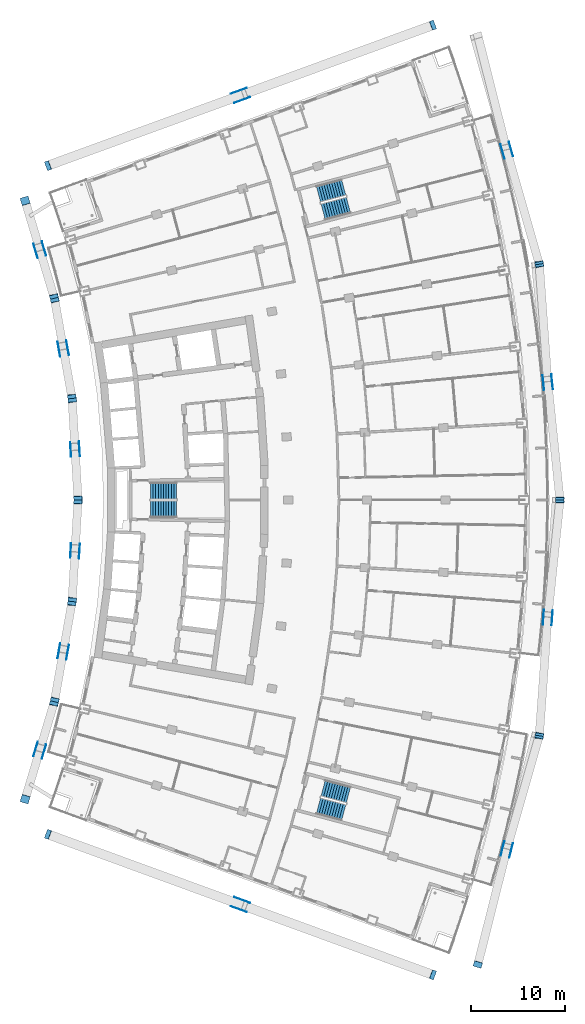
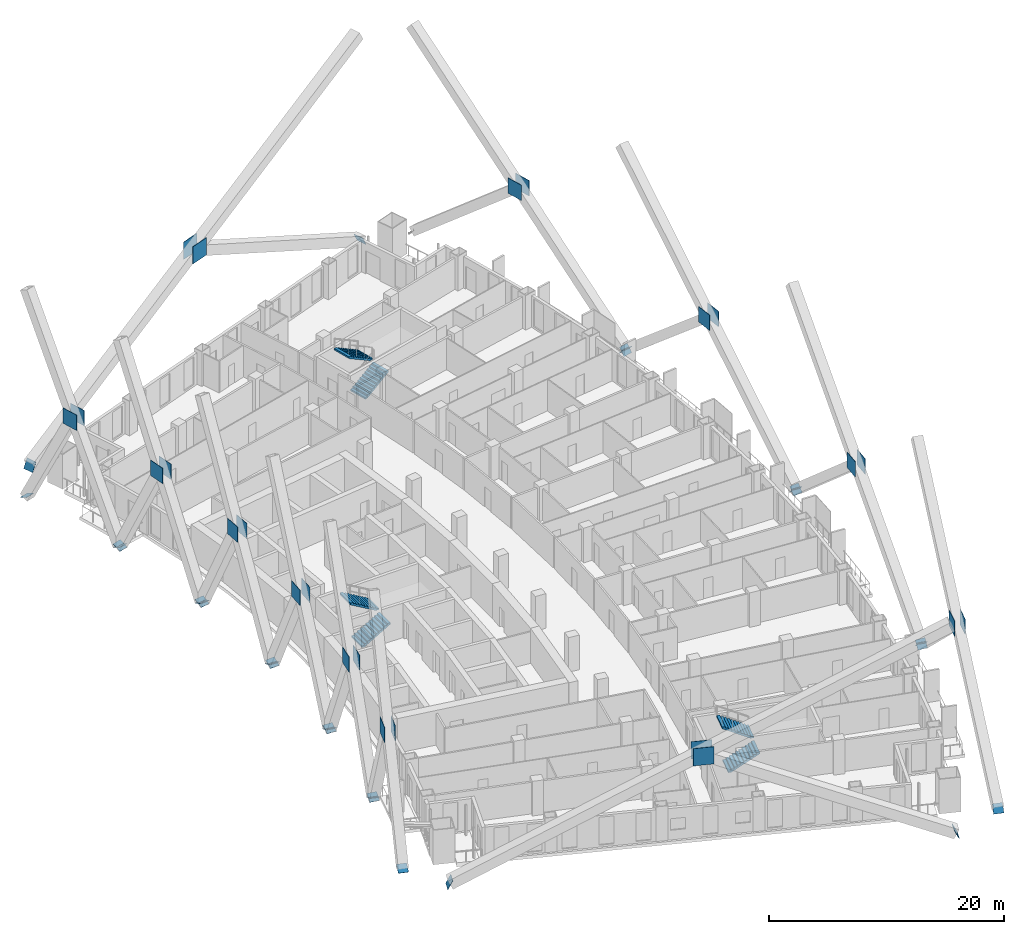
# One storey, part 20 of 24: 47 discrete accessories, 6 stair flights, 3 elements without a shape of their own.
"""IFC4 building model written with IfcOpenShell, lengths in metres."""

from ifc_helpers import new_model, si_unit, direction, frame, origin, origin_2d, place, context, subcontext, project, spatial, polyline, rectangle, outline, extrude, material, layer, layer_set, material_profile, profile_set, type_object, element, aggregate, save


model = new_model("IFC4")

# Units and contexts
model_context = context("Model", 3, precision=1e-05, world=origin(), true_north=direction((0.0, 1.0)))
body_context = subcontext(model_context, "Body", "Model", "MODEL_VIEW")
ifc_project = project(units=[si_unit("LENGTHUNIT", "METRE"), si_unit("AREAUNIT", "SQUARE_METRE"), si_unit("VOLUMEUNIT", "CUBIC_METRE"), si_unit("PLANEANGLEUNIT", "RADIAN"), si_unit("MASSUNIT", "GRAM", prefix="KILO")], contexts=[model_context])

# Site, building, storey
site_placement = place(None, origin())
site = spatial("IfcSite", under=ifc_project, at=site_placement, CompositionType="ELEMENT")
building_placement = place(site_placement, origin())
building = spatial("IfcBuilding", under=site, at=building_placement, Name="Alderwake Tower", CompositionType="ELEMENT")
storey_placement = place(building_placement, frame((0.0, 0.0, 104.0)))
storey = spatial("IfcBuildingStorey", under=building, at=storey_placement, Name="L25", CompositionType="ELEMENT", Elevation=104.0)

# Stair, stair flights
ifc_material_1 = material(Name="Concrete C40/50", Category="concrete")
stair_type = type_object("IfcStairType", Name="Core exit stair", PredefinedType="HALF_TURN_STAIR", material=ifc_material_1)
stair_1_placement = place(storey_placement, origin())
stair_1 = element("IfcStair", 1, at=stair_1_placement, inside=storey, type_object=stair_type, Name="L25 Exit Stair B", PredefinedType="HALF_TURN_STAIR")
ifc_material_2 = material(Name="Concrete C40/50", Category="concrete")
ifc_layer = layer(ifc_material_2, 0.14990234375)
ifc_layer_set = layer_set([ifc_layer], Name="Core stair flight")
stair_flight_type = type_object("IfcStairFlightType", Name="Core stair flight", PredefinedType="STRAIGHT", material=ifc_layer_set)
stair_flight_1_placement = place(storey_placement, frame((21.0400390625, 60.02490234375, 0.0), z_axis=(0.0, 0.0, 1.0), x_axis=(1.0, 0.0, 0.0)))
stair_flight_1 = element("IfcStairFlight", 2, at=stair_flight_1_placement, type_object=stair_flight_type, Name="ST-B flight 1", NumberOfRisers=11, NumberOfTreads=10, PredefinedType="STRAIGHT", RiserHeight=0.163636364, TreadLength=0.28, context=body_context, shape_type="SweptSolid", body=[
    extrude(outline(polyline([(0.0, 0.0), (0.0, 0.16357421875), (0.280029296875, 0.16357421875), (0.280029296875, 0.327392578125), (0.56005859375, 0.327392578125), (0.56005859375, 0.490966796875), (0.840087890625, 0.490966796875), (0.840087890625, 0.654541015625), (1.1201171875, 0.654541015625), (1.1201171875, 0.818115234375), (1.39990234375, 0.818115234375), (1.39990234375, 0.98193359375), (1.679931640625, 0.98193359375), (1.679931640625, 1.1455078125), (1.9599609375, 1.1455078125), (1.9599609375, 1.30908203125), (2.239990234375, 1.30908203125), (2.239990234375, 1.47265625), (2.52001953125, 1.47265625), (2.52001953125, 1.636474609375), (2.800048828125, 1.636474609375), (2.800048828125, 1.800048828125), (2.800048828125, 1.462646484375), (0.297119140625, 0.0), (0.0, 0.0)])), frame((0.0, 0.89990234375, 0.0), z_axis=(0.0, -1.0, 0.0), x_axis=(1.0, 0.0, 0.0)), (0.0, 0.0, 1.0), 1.800048828125),
])
stair_flight_2_placement = place(storey_placement, frame((23.840087890625, 61.97509765625, 1.800048828125), z_axis=(0.0, 0.0, 1.0), x_axis=(-1.0, 0.0, 0.0)))
stair_flight_2 = element("IfcStairFlight", 3, at=stair_flight_2_placement, type_object=stair_flight_type, Name="ST-B flight 2", NumberOfRisers=11, NumberOfTreads=10, PredefinedType="STRAIGHT", RiserHeight=0.163636364, TreadLength=0.28, context=body_context, shape_type="SweptSolid", body=[
    extrude(outline(polyline([(0.0, 0.0), (0.0, 0.16357421875), (0.280029296875, 0.16357421875), (0.280029296875, 0.327392578125), (0.56005859375, 0.327392578125), (0.56005859375, 0.490966796875), (0.840087890625, 0.490966796875), (0.840087890625, 0.654541015625), (1.1201171875, 0.654541015625), (1.1201171875, 0.818115234375), (1.39990234375, 0.818115234375), (1.39990234375, 0.98193359375), (1.679931640625, 0.98193359375), (1.679931640625, 1.1455078125), (1.9599609375, 1.1455078125), (1.9599609375, 1.30908203125), (2.239990234375, 1.30908203125), (2.239990234375, 1.47265625), (2.52001953125, 1.47265625), (2.52001953125, 1.636474609375), (2.800048828125, 1.636474609375), (2.800048828125, 1.800048828125), (2.800048828125, 1.462646484375), (0.297119140625, 0.0), (0.0, 0.0)])), frame((0.0, 0.89990234375, 0.0), z_axis=(0.0, -1.0, 0.0), x_axis=(1.0, 0.0, 0.0)), (0.0, 0.0, 1.0), 1.800048828125),
])
aggregate(stair_1, [stair_flight_1, stair_flight_2])

stair_2_placement = place(storey_placement, origin())
stair_2 = element("IfcStair", 4, at=stair_2_placement, inside=storey, type_object=stair_type, Name="L25 Exit Stair A", PredefinedType="HALF_TURN_STAIR")
stair_flight_3_placement = place(storey_placement, frame((39.512939453125, 91.823974609375, 0.0), z_axis=(0.0, 0.0, 1.0), x_axis=(0.966309627437, 0.257382407951, 0.0)))
stair_flight_3 = element("IfcStairFlight", 5, at=stair_flight_3_placement, type_object=stair_flight_type, Name="ST-A flight 1", NumberOfRisers=11, NumberOfTreads=10, PredefinedType="STRAIGHT", RiserHeight=0.163636364, TreadLength=0.28, context=body_context, shape_type="SweptSolid", body=[
    extrude(outline(polyline([(0.0, 0.0), (0.0, 0.16357421875), (0.280029296875, 0.16357421875), (0.280029296875, 0.327392578125), (0.56005859375, 0.327392578125), (0.56005859375, 0.490966796875), (0.840087890625, 0.490966796875), (0.840087890625, 0.654541015625), (1.1201171875, 0.654541015625), (1.1201171875, 0.818115234375), (1.39990234375, 0.818115234375), (1.39990234375, 0.98193359375), (1.679931640625, 0.98193359375), (1.679931640625, 1.1455078125), (1.9599609375, 1.1455078125), (1.9599609375, 1.30908203125), (2.239990234375, 1.30908203125), (2.239990234375, 1.47265625), (2.52001953125, 1.47265625), (2.52001953125, 1.636474609375), (2.800048828125, 1.636474609375), (2.800048828125, 1.800048828125), (2.800048828125, 1.462646484375), (0.297119140625, 0.0), (0.0, 0.0)])), frame((0.0, 0.89990234375, 0.0), z_axis=(0.0, -1.0, 0.0), x_axis=(1.0, 0.0, 0.0)), (0.0, 0.0, 1.0), 1.800048828125),
])
stair_flight_4_placement = place(storey_placement, frame((41.716796875, 94.428955078125, 1.800048828125), z_axis=(0.0, 0.0, 1.0), x_axis=(-0.966309627437, -0.257382407951, 0.0)))
stair_flight_4 = element("IfcStairFlight", 6, at=stair_flight_4_placement, type_object=stair_flight_type, Name="ST-A flight 2", NumberOfRisers=11, NumberOfTreads=10, PredefinedType="STRAIGHT", RiserHeight=0.163636364, TreadLength=0.28, context=body_context, shape_type="SweptSolid", body=[
    extrude(outline(polyline([(0.0, 0.0), (0.0, 0.16357421875), (0.280029296875, 0.16357421875), (0.280029296875, 0.327392578125), (0.56005859375, 0.327392578125), (0.56005859375, 0.490966796875), (0.840087890625, 0.490966796875), (0.840087890625, 0.654541015625), (1.1201171875, 0.654541015625), (1.1201171875, 0.818115234375), (1.39990234375, 0.818115234375), (1.39990234375, 0.98193359375), (1.679931640625, 0.98193359375), (1.679931640625, 1.1455078125), (1.9599609375, 1.1455078125), (1.9599609375, 1.30908203125), (2.239990234375, 1.30908203125), (2.239990234375, 1.47265625), (2.52001953125, 1.47265625), (2.52001953125, 1.636474609375), (2.800048828125, 1.636474609375), (2.800048828125, 1.800048828125), (2.800048828125, 1.462646484375), (0.297119140625, 0.0), (0.0, 0.0)])), frame((0.0, 0.89990234375, 0.0), z_axis=(0.0, -1.0, 0.0), x_axis=(1.0, 0.0, 0.0)), (0.0, 0.0, 1.0), 1.800048828125),
])
aggregate(stair_2, [stair_flight_3, stair_flight_4])

stair_3_placement = place(storey_placement, origin())
stair_3 = element("IfcStair", 7, at=stair_3_placement, inside=storey, type_object=stair_type, Name="L25 Exit Stair C", PredefinedType="HALF_TURN_STAIR")
stair_flight_5_placement = place(storey_placement, frame((39.010986328125, 28.291748046875, 0.0), z_axis=(0.0, 0.0, 1.0), x_axis=(0.966309627437, -0.257382407951, 0.0)))
stair_flight_5 = element("IfcStairFlight", 8, at=stair_flight_5_placement, type_object=stair_flight_type, Name="ST-C flight 1", NumberOfRisers=11, NumberOfTreads=10, PredefinedType="STRAIGHT", RiserHeight=0.163636364, TreadLength=0.28, context=body_context, shape_type="SweptSolid", body=[
    extrude(outline(polyline([(0.0, 0.0), (0.0, 0.16357421875), (0.280029296875, 0.16357421875), (0.280029296875, 0.327392578125), (0.56005859375, 0.327392578125), (0.56005859375, 0.490966796875), (0.840087890625, 0.490966796875), (0.840087890625, 0.654541015625), (1.1201171875, 0.654541015625), (1.1201171875, 0.818115234375), (1.39990234375, 0.818115234375), (1.39990234375, 0.98193359375), (1.679931640625, 0.98193359375), (1.679931640625, 1.1455078125), (1.9599609375, 1.1455078125), (1.9599609375, 1.30908203125), (2.239990234375, 1.30908203125), (2.239990234375, 1.47265625), (2.52001953125, 1.47265625), (2.52001953125, 1.636474609375), (2.800048828125, 1.636474609375), (2.800048828125, 1.800048828125), (2.800048828125, 1.462646484375), (0.297119140625, 0.0), (0.0, 0.0)])), frame((0.0, 0.89990234375, 0.0), z_axis=(0.0, -1.0, 0.0), x_axis=(1.0, 0.0, 0.0)), (0.0, 0.0, 1.0), 1.800048828125),
])
stair_flight_6_placement = place(storey_placement, frame((42.218505859375, 29.455322265625, 1.800048828125), z_axis=(0.0, 0.0, 1.0), x_axis=(-0.966309627437, 0.257382407951, 0.0)))
stair_flight_6 = element("IfcStairFlight", 9, at=stair_flight_6_placement, type_object=stair_flight_type, Name="ST-C flight 2", NumberOfRisers=11, NumberOfTreads=10, PredefinedType="STRAIGHT", RiserHeight=0.163636364, TreadLength=0.28, context=body_context, shape_type="SweptSolid", body=[
    extrude(outline(polyline([(0.0, 0.0), (0.0, 0.16357421875), (0.280029296875, 0.16357421875), (0.280029296875, 0.327392578125), (0.56005859375, 0.327392578125), (0.56005859375, 0.490966796875), (0.840087890625, 0.490966796875), (0.840087890625, 0.654541015625), (1.1201171875, 0.654541015625), (1.1201171875, 0.818115234375), (1.39990234375, 0.818115234375), (1.39990234375, 0.98193359375), (1.679931640625, 0.98193359375), (1.679931640625, 1.1455078125), (1.9599609375, 1.1455078125), (1.9599609375, 1.30908203125), (2.239990234375, 1.30908203125), (2.239990234375, 1.47265625), (2.52001953125, 1.47265625), (2.52001953125, 1.636474609375), (2.800048828125, 1.636474609375), (2.800048828125, 1.800048828125), (2.800048828125, 1.462646484375), (0.297119140625, 0.0), (0.0, 0.0)])), frame((0.0, 0.89990234375, 0.0), z_axis=(0.0, -1.0, 0.0), x_axis=(1.0, 0.0, 0.0)), (0.0, 0.0, 1.0), 1.800048828125),
])
aggregate(stair_3, [stair_flight_5, stair_flight_6])

# Discrete accessories
ifc_material_3 = material(Name="Steel ASTM A572 Grade 50", Category="steel")
ifc_material_profile_1 = material_profile(ifc_material_3, rectangle(XDim=1.0, YDim=1.0, at=origin_2d()), Name="BOX 1000X1000X60 cap")
ifc_profile_set_1 = profile_set([ifc_material_profile_1], Name="Steel ASTM A572 Grade 50")
discrete_accessory_type_1 = type_object("IfcDiscreteAccessoryType", Name="End cap plate BOX 1000X1000X60", PredefinedType="USERDEFINED", material=ifc_profile_set_1)
for number, where, z_axis, x_axis, name in (
    (10, (51.243896484375, 10.218017578125, 0.0), (0.844218141181, -0.308464320816, 0.438344034844), (0.343192952924, 0.939264923791, 0.0), "End cap BRS2.1.0A N"),
    (11, (10.099365234375, 25.23681640625, 0.0), (-0.844218141181, 0.308464320816, 0.438344034844), (-0.343192952924, -0.939264923791, 0.0), "End cap BRS2.1.0B2 N"),
    (12, (51.243896484375, 111.781982421875, 0.0), (0.844218141181, 0.308464320816, 0.438344034844), (-0.343192952924, 0.939264923791, 0.0), "End cap BRN2.1.0A N"),
    (13, (10.099365234375, 96.76318359375, 0.0), (-0.844218141181, -0.308464320816, 0.438344034844), (0.343192952924, -0.939264923791, 0.0), "End cap BRN2.1.0B2 N"),
):
    element("IfcDiscreteAccessory", number, at=place(storey_placement, frame(where, z_axis=z_axis, x_axis=x_axis)), inside=storey, type_object=discrete_accessory_type_1, Name=name, ObjectType="END CAP", PredefinedType="USERDEFINED", context=body_context, shape_type="SweptSolid", body=[
        extrude(rectangle(XDim=1.0, YDim=1.0, at=origin_2d()), origin(), (0.0, 0.0, 1.0), 0.030029296875),
    ])
ifc_material_4 = material(Name="Steel ASTM A572 Grade 50", Category="steel")
ifc_material_profile_2 = material_profile(ifc_material_4, rectangle(XDim=0.89990234375, YDim=0.89990234375, at=origin_2d()), Name="BOX 900X900X55 cap")
ifc_profile_set_2 = profile_set([ifc_material_profile_2], Name="Steel ASTM A572 Grade 50")
discrete_accessory_type_2 = type_object("IfcDiscreteAccessoryType", Name="End cap plate BOX 900X900X55", PredefinedType="USERDEFINED", material=ifc_profile_set_2)
discrete_accessory_1_placement = place(storey_placement, frame((62.6298828125, 35.78173828125, 0.0), z_axis=(0.17167614664, 0.743929968771, 0.645829313549), x_axis=(-0.974391195695, 0.224859506699, 0.0)))
element("IfcDiscreteAccessory", 14, at=discrete_accessory_1_placement, inside=storey, type_object=discrete_accessory_type_2, Name="End cap BRF2.1.1A N", ObjectType="END CAP", PredefinedType="USERDEFINED", context=body_context, shape_type="SweptSolid", body=[
    extrude(rectangle(XDim=0.89990234375, YDim=0.89990234375, at=origin_2d()), origin(), (0.0, 0.0, 1.0), 0.02978515625),
])
discrete_accessory_2_placement = place(storey_placement, frame((56.060791015625, 11.333984375, 0.0), z_axis=(-0.219941477406, -0.733138258022, 0.64353247093), x_axis=(0.957826285221, -0.287347885566, 0.0)))
element("IfcDiscreteAccessory", 15, at=discrete_accessory_2_placement, inside=storey, type_object=discrete_accessory_type_2, Name="End cap BRF2.1.1B2 N", ObjectType="END CAP", PredefinedType="USERDEFINED", context=body_context, shape_type="SweptSolid", body=[
    extrude(rectangle(XDim=0.89990234375, YDim=0.89990234375, at=origin_2d()), origin(), (0.0, 0.0, 1.0), 0.030029296875),
])
discrete_accessory_3_placement = place(storey_placement, frame((64.842041015625, 61.0, 0.0), z_axis=(0.049111085309, 0.761221822294, 0.646629289905), x_axis=(-0.997925308968, 0.064382277998, 0.0)))
element("IfcDiscreteAccessory", 16, at=discrete_accessory_3_placement, inside=storey, type_object=discrete_accessory_type_2, Name="End cap BRF2.1.4A N", ObjectType="END CAP", PredefinedType="USERDEFINED", context=body_context, shape_type="SweptSolid", body=[
    extrude(rectangle(XDim=0.89990234375, YDim=0.89990234375, at=origin_2d()), origin(), (0.0, 0.0, 1.0), 0.02978515625),
])
for number, where, z_axis, x_axis, name in (
    (17, (62.6298828125, 35.78173828125, 0.0), (-0.089781709975, -0.759063547969, 0.644795917092), (0.993077521975, -0.117460782169, 0.0), "End cap BRF2.1.4B2 N"),
    (18, (62.6298828125, 86.21826171875, 0.0), (-0.089781709975, 0.759063547969, 0.644795917092), (-0.993077521975, -0.117460782169, 0.0), "End cap BRF2.1.7A N"),
):
    element("IfcDiscreteAccessory", number, at=place(storey_placement, frame(where, z_axis=z_axis, x_axis=x_axis)), inside=storey, type_object=discrete_accessory_type_2, Name=name, ObjectType="END CAP", PredefinedType="USERDEFINED", context=body_context, shape_type="SweptSolid", body=[
        extrude(rectangle(XDim=0.89990234375, YDim=0.89990234375, at=origin_2d()), origin(), (0.0, 0.0, 1.0), 0.030029296875),
    ])
for number, where, z_axis, x_axis, name in (
    (19, (64.842041015625, 61.0, 0.0), (0.049111085309, -0.761221822294, 0.646629289905), (0.997925308968, 0.064382277998, 0.0), "End cap BRF2.1.7B2 N"),
    (20, (62.6298828125, 86.21826171875, 0.0), (0.17167614664, -0.743929968771, 0.645829313549), (0.974391195695, 0.224859506699, 0.0), "End cap BRF2.1.10B2 N"),
):
    element("IfcDiscreteAccessory", number, at=place(storey_placement, frame(where, z_axis=z_axis, x_axis=x_axis)), inside=storey, type_object=discrete_accessory_type_2, Name=name, ObjectType="END CAP", PredefinedType="USERDEFINED", context=body_context, shape_type="SweptSolid", body=[
        extrude(rectangle(XDim=0.89990234375, YDim=0.89990234375, at=origin_2d()), origin(), (0.0, 0.0, 1.0), 0.02978515625),
    ])
for number, where, z_axis, x_axis, name in (
    (21, (10.771728515625, 39.427001953125, 0.0), (0.129926809902, 0.430382557802, 0.893246818079), (-0.957327710787, 0.289004591936, 0.0), "End cap BRR2.1.1A N"),
    (22, (7.6435546875, 29.007568359375, 0.0), (-0.129926809902, -0.430382557802, 0.893246818079), (0.957327710787, -0.289004591936, 0.0), "End cap BRR2.1.1B2 N"),
    (23, (12.665771484375, 50.1396484375, 0.0), (0.081044089847, 0.44574249416, 0.89148498832), (-0.9838699101, 0.1788854382, 0.0), "End cap BRR2.1.3A N"),
    (24, (10.771728515625, 39.427001953125, 0.0), (-0.08133576549, -0.439213133645, 0.894693420388), (0.983282004984, -0.182089260182, 0.0), "End cap BRR2.1.3B2 N"),
    (25, (13.300048828125, 61.0, 0.0), (0.024386214522, 0.447080599566, 0.894161199132), (-0.998515707931, 0.05446449316, 0.0), "End cap BRR2.1.5A N"),
    (26, (12.665771484375, 50.1396484375, 0.0), (-0.024386214522, -0.447080599566, 0.894161199132), (0.998515707931, -0.05446449316, 0.0), "End cap BRR2.1.5B2 N"),
    (27, (12.665771484375, 71.8603515625, 0.0), (-0.024386214522, 0.447080599566, 0.894161199132), (-0.998515707931, -0.05446449316, 0.0), "End cap BRR2.1.7A N"),
    (28, (13.300048828125, 61.0, 0.0), (0.024386214522, -0.447080599566, 0.894161199132), (0.998515707931, 0.05446449316, 0.0), "End cap BRR2.1.7B2 N"),
    (29, (10.771728515625, 82.572998046875, 0.0), (-0.08133576549, 0.439213133645, 0.894693420388), (-0.983282004984, -0.182089260182, 0.0), "End cap BRR2.1.9A N"),
    (30, (12.665771484375, 71.8603515625, 0.0), (0.081044089847, -0.44574249416, 0.89148498832), (0.9838699101, 0.1788854382, 0.0), "End cap BRR2.1.9B2 N"),
    (31, (7.6435546875, 92.992431640625, 0.0), (-0.129926809902, 0.430382557802, 0.893246818079), (-0.957327710787, -0.289004591936, 0.0), "End cap BRR2.1.11A N"),
    (32, (10.771728515625, 82.572998046875, 0.0), (0.129926809902, -0.430382557802, 0.893246818079), (0.957327710787, 0.289004591936, 0.0), "End cap BRR2.1.11B2 N"),
):
    element("IfcDiscreteAccessory", number, at=place(storey_placement, frame(where, z_axis=z_axis, x_axis=x_axis)), inside=storey, type_object=discrete_accessory_type_2, Name=name, ObjectType="END CAP", PredefinedType="USERDEFINED", context=body_context, shape_type="SweptSolid", body=[
        extrude(rectangle(XDim=0.89990234375, YDim=0.89990234375, at=origin_2d()), origin(), (0.0, 0.0, 1.0), 0.030029296875),
    ])
ifc_material_5 = material(Name="Steel ASTM A572 Grade 50", Category="steel")
ifc_material_profile_3 = material_profile(ifc_material_5, rectangle(XDim=1.60009765625, YDim=1.60009765625, at=origin_2d()), Name="gusset 1600X1600")
ifc_profile_set_3 = profile_set([ifc_material_profile_3], Name="Steel ASTM A572 Grade 50")
discrete_accessory_type_3 = type_object("IfcDiscreteAccessoryType", Name="Gusset plate 1600X1600X40", PredefinedType="USERDEFINED", material=ifc_profile_set_3)
for number, where, z_axis, x_axis, name in (
    (33, (59.593017578125, 23.516845703125, 10.800048828125), (0.969782658548, -0.243970480138, 0.0), (0.243970480138, 0.969782658548, 0.0), "Gusset plate BRF2.2.1B outer"),
    (34, (58.72021484375, 23.736572265625, 10.800048828125), (-0.969782658548, 0.243970480138, 0.0), (-0.243970480138, -0.969782658548, 0.0), "Gusset plate BRF2.2.1B inner"),
    (35, (63.987060546875, 48.3935546875, 10.800048828125), (0.997333723592, -0.072975638312, 0.0), (0.072975638312, 0.997333723592, 0.0), "Gusset plate BRF2.2.4B outer"),
):
    element("IfcDiscreteAccessory", number, at=place(storey_placement, frame(where, z_axis=z_axis, x_axis=x_axis)), inside=storey, type_object=discrete_accessory_type_3, Name=name, ObjectType="GUSSET PLATE", PredefinedType="USERDEFINED", context=body_context, shape_type="SweptSolid", body=[
        extrude(rectangle(XDim=1.60009765625, YDim=1.60009765625, at=origin_2d()), origin(), (0.0, 0.0, 1.0), 0.0400390625),
    ])
discrete_accessory_4_placement = place(storey_placement, frame((63.08935546875, 48.4580078125, 10.800048828125), z_axis=(-0.997301040923, 0.073420935528, 0.0), x_axis=(-0.073420935528, -0.997301040923, 0.0)))
element("IfcDiscreteAccessory", 36, at=discrete_accessory_4_placement, inside=storey, type_object=discrete_accessory_type_3, Name="Gusset plate BRF2.2.4B inner", ObjectType="GUSSET PLATE", PredefinedType="USERDEFINED", context=body_context, shape_type="SweptSolid", body=[
    extrude(rectangle(XDim=1.60009765625, YDim=1.60009765625, at=origin_2d()), origin(), (0.0, 0.0, 1.0), 0.039794921875),
])
for number, where, z_axis, x_axis, name in (
    (37, (63.98291015625, 73.655517578125, 10.800048828125), (0.99460530117, 0.103731841226, 0.0), (-0.103731841226, 0.99460530117, 0.0), "Gusset plate BRF2.2.7B outer"),
    (38, (63.08740234375, 73.562744140625, 10.800048828125), (-0.99460530117, -0.103731841226, 0.0), (0.103731841226, -0.99460530117, 0.0), "Gusset plate BRF2.2.7B inner"),
    (39, (59.580078125, 98.53076171875, 10.800048828125), (0.961753311401, 0.273917082361, 0.0), (-0.273917082361, 0.961753311401, 0.0), "Gusset plate BRF2.2.10B outer"),
):
    element("IfcDiscreteAccessory", number, at=place(storey_placement, frame(where, z_axis=z_axis, x_axis=x_axis)), inside=storey, type_object=discrete_accessory_type_3, Name=name, ObjectType="GUSSET PLATE", PredefinedType="USERDEFINED", context=body_context, shape_type="SweptSolid", body=[
        extrude(rectangle(XDim=1.60009765625, YDim=1.60009765625, at=origin_2d()), origin(), (0.0, 0.0, 1.0), 0.0400390625),
    ])
discrete_accessory_5_placement = place(storey_placement, frame((58.71484375, 98.283447265625, 10.800048828125), z_axis=(-0.961292555402, -0.275529713332, 0.0), x_axis=(0.275529713332, -0.961292555402, 0.0)))
element("IfcDiscreteAccessory", 40, at=discrete_accessory_5_placement, inside=storey, type_object=discrete_accessory_type_3, Name="Gusset plate BRF2.2.10B inner", ObjectType="GUSSET PLATE", PredefinedType="USERDEFINED", context=body_context, shape_type="SweptSolid", body=[
    extrude(rectangle(XDim=1.60009765625, YDim=1.60009765625, at=origin_2d()), origin(), (0.0, 0.0, 1.0), 0.039794921875),
])
for number, where, z_axis, x_axis, name in (
    (41, (9.638671875, 34.087890625, 10.800048828125), (0.95799406309, -0.286788031626, 0.0), (0.286788031626, 0.95799406309, 0.0), "Gusset plate BRR2.2.1B outer"),
    (42, (8.776611328125, 34.3466796875, 10.800048828125), (-0.95799406309, 0.286788031626, 0.0), (-0.286788031626, -0.95799406309, 0.0), "Gusset plate BRR2.2.1B inner"),
):
    element("IfcDiscreteAccessory", number, at=place(storey_placement, frame(where, z_axis=z_axis, x_axis=x_axis)), inside=storey, type_object=discrete_accessory_type_3, Name=name, ObjectType="GUSSET PLATE", PredefinedType="USERDEFINED", context=body_context, shape_type="SweptSolid", body=[
        extrude(rectangle(XDim=1.60009765625, YDim=1.60009765625, at=origin_2d()), origin(), (0.0, 0.0, 1.0), 0.0400390625),
    ])
discrete_accessory_6_placement = place(storey_placement, frame((12.161865234375, 44.705078125, 10.800048828125), z_axis=(0.984352377506, -0.176211228072, 0.0), x_axis=(0.176211228072, 0.984352377506, 0.0)))
element("IfcDiscreteAccessory", 43, at=discrete_accessory_6_placement, inside=storey, type_object=discrete_accessory_type_3, Name="Gusset plate BRR2.2.3B outer", ObjectType="GUSSET PLATE", PredefinedType="USERDEFINED", context=body_context, shape_type="SweptSolid", body=[
    extrude(rectangle(XDim=1.60009765625, YDim=1.60009765625, at=origin_2d()), origin(), (0.0, 0.0, 1.0), 0.040283203125),
])
discrete_accessory_7_placement = place(storey_placement, frame((11.275634765625, 44.86181640625, 10.800048828125), z_axis=(-0.985389793052, 0.170314285219, 0.0), x_axis=(-0.170314285219, -0.985389793052, 0.0)))
element("IfcDiscreteAccessory", 44, at=discrete_accessory_7_placement, inside=storey, type_object=discrete_accessory_type_3, Name="Gusset plate BRR2.2.3B inner", ObjectType="GUSSET PLATE", PredefinedType="USERDEFINED", context=body_context, shape_type="SweptSolid", body=[
    extrude(rectangle(XDim=1.60009765625, YDim=1.60009765625, at=origin_2d()), origin(), (0.0, 0.0, 1.0), 0.0400390625),
])
for number, where, z_axis, x_axis, name in (
    (45, (13.43212890625, 55.543701171875, 10.800048828125), (0.99812340324, -0.061234564616, 0.0), (0.061234564616, 0.99812340324, 0.0), "Gusset plate BRR2.2.5B outer"),
    (46, (12.53369140625, 55.59619140625, 10.800048828125), (-0.998479143686, 0.055130750265, 0.0), (-0.055130750265, -0.998479143686, 0.0), "Gusset plate BRR2.2.5B inner"),
    (47, (13.43212890625, 66.456298828125, 10.800048828125), (0.99812340324, 0.061234564616, 0.0), (-0.061234564616, 0.99812340324, 0.0), "Gusset plate BRR2.2.7B outer"),
    (48, (12.53369140625, 66.40380859375, 10.800048828125), (-0.998479143686, -0.055130750265, 0.0), (0.055130750265, -0.998479143686, 0.0), "Gusset plate BRR2.2.7B inner"),
):
    element("IfcDiscreteAccessory", number, at=place(storey_placement, frame(where, z_axis=z_axis, x_axis=x_axis)), inside=storey, type_object=discrete_accessory_type_3, Name=name, ObjectType="GUSSET PLATE", PredefinedType="USERDEFINED", context=body_context, shape_type="SweptSolid", body=[
        extrude(rectangle(XDim=1.60009765625, YDim=1.60009765625, at=origin_2d()), origin(), (0.0, 0.0, 1.0), 0.039794921875),
    ])
discrete_accessory_8_placement = place(storey_placement, frame((12.161865234375, 77.294921875, 10.800048828125), z_axis=(0.984352377506, 0.176211228072, 0.0), x_axis=(-0.176211228072, 0.984352377506, 0.0)))
element("IfcDiscreteAccessory", 49, at=discrete_accessory_8_placement, inside=storey, type_object=discrete_accessory_type_3, Name="Gusset plate BRR2.2.9B outer", ObjectType="GUSSET PLATE", PredefinedType="USERDEFINED", context=body_context, shape_type="SweptSolid", body=[
    extrude(rectangle(XDim=1.60009765625, YDim=1.60009765625, at=origin_2d()), origin(), (0.0, 0.0, 1.0), 0.040283203125),
])
for number, where, z_axis, x_axis, name in (
    (50, (11.275634765625, 77.13818359375, 10.800048828125), (-0.985389793052, -0.170314285219, 0.0), (0.170314285219, -0.985389793052, 0.0), "Gusset plate BRR2.2.9B inner"),
    (51, (9.638671875, 87.912109375, 10.800048828125), (0.95799406309, 0.286788031626, 0.0), (-0.286788031626, 0.95799406309, 0.0), "Gusset plate BRR2.2.11B outer"),
    (52, (8.776611328125, 87.6533203125, 10.800048828125), (-0.95799406309, -0.286788031626, 0.0), (0.286788031626, -0.95799406309, 0.0), "Gusset plate BRR2.2.11B inner"),
):
    element("IfcDiscreteAccessory", number, at=place(storey_placement, frame(where, z_axis=z_axis, x_axis=x_axis)), inside=storey, type_object=discrete_accessory_type_3, Name=name, ObjectType="GUSSET PLATE", PredefinedType="USERDEFINED", context=body_context, shape_type="SweptSolid", body=[
        extrude(rectangle(XDim=1.60009765625, YDim=1.60009765625, at=origin_2d()), origin(), (0.0, 0.0, 1.0), 0.0400390625),
    ])
ifc_material_6 = material(Name="Steel ASTM A572 Grade 50", Category="steel")
ifc_material_profile_4 = material_profile(ifc_material_6, rectangle(XDim=1.800048828125, YDim=1.800048828125, at=origin_2d()), Name="gusset 1800X1800")
ifc_profile_set_4 = profile_set([ifc_material_profile_4], Name="Steel ASTM A572 Grade 50")
discrete_accessory_type_4 = type_object("IfcDiscreteAccessoryType", Name="Gusset plate 1800X1800X40", PredefinedType="USERDEFINED", material=ifc_profile_set_4)
for number, where, z_axis, x_axis, name in (
    (53, (30.500244140625, 17.2578125, 10.800048828125), (-0.341743063087, -0.939793423488, 0.0), (0.939793423488, -0.341743063087, 0.0), "Gusset plate BRS2.2.0B outer"),
    (54, (30.843017578125, 18.197021484375, 10.800048828125), (0.341743063087, 0.939793423488, 0.0), (-0.939793423488, 0.341743063087, 0.0), "Gusset plate BRS2.2.0B inner"),
    (55, (30.500244140625, 104.7421875, 10.800048828125), (-0.341743063087, 0.939793423488, 0.0), (-0.939793423488, -0.341743063087, 0.0), "Gusset plate BRN2.2.0B outer"),
    (56, (30.843017578125, 103.802978515625, 10.800048828125), (0.341743063087, -0.939793423488, 0.0), (0.939793423488, 0.341743063087, 0.0), "Gusset plate BRN2.2.0B inner"),
):
    element("IfcDiscreteAccessory", number, at=place(storey_placement, frame(where, z_axis=z_axis, x_axis=x_axis)), inside=storey, type_object=discrete_accessory_type_4, Name=name, ObjectType="GUSSET PLATE", PredefinedType="USERDEFINED", context=body_context, shape_type="SweptSolid", body=[
        extrude(rectangle(XDim=1.800048828125, YDim=1.800048828125, at=origin_2d()), origin(), (0.0, 0.0, 1.0), 0.0400390625),
    ])

save(model, "model.ifc")
